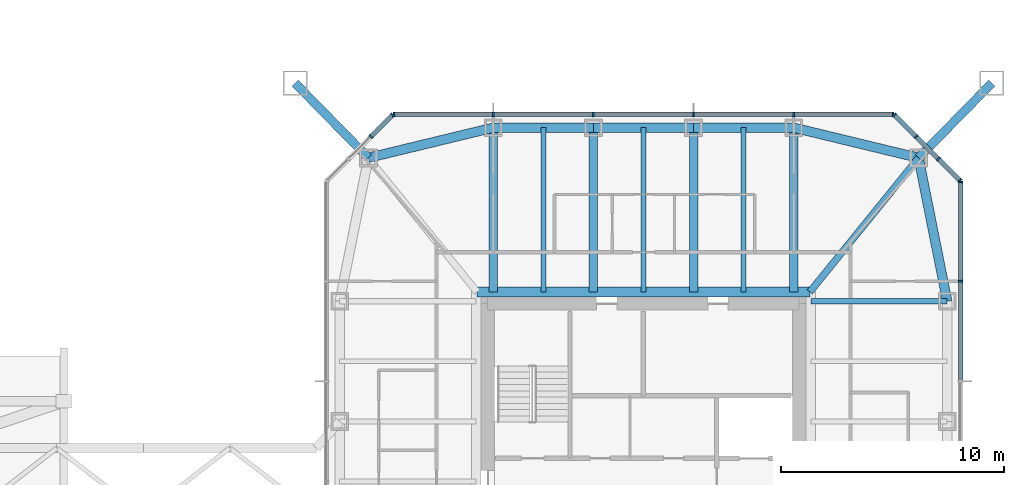
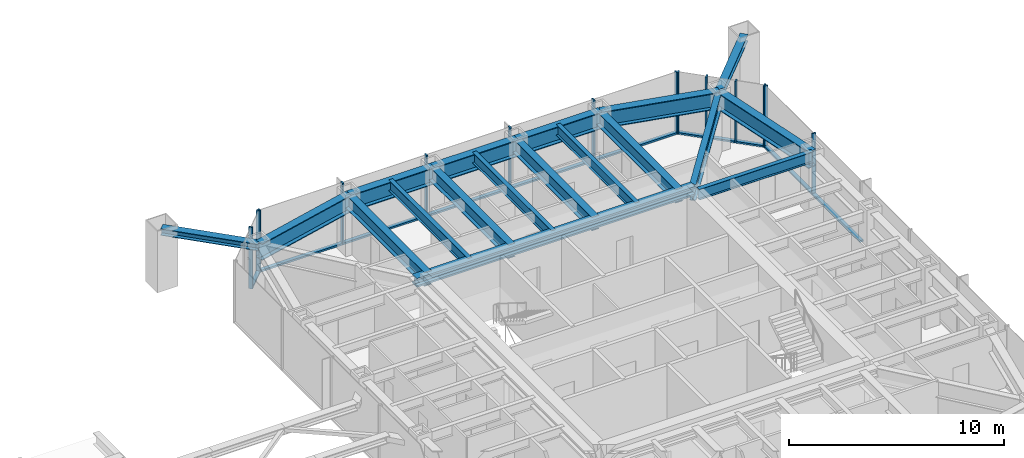
# One storey, part 10 of 26: 27 members, 16 beams, 4 elements without a shape of their own.
"""IFC4 building model written with IfcOpenShell, lengths in metres."""

from ifc_helpers import new_model, si_unit, direction, frame, origin, origin_2d, place, context, subcontext, project, spatial, rectangle, i_section, extrude, material, material_profile, profile_set, type_object, element, aggregate, save


model = new_model("IFC4")

# Units and contexts
model_context = context("Model", 3, precision=1e-05, world=origin(), true_north=direction((0.0, 1.0)))
body_context = subcontext(model_context, "Body", "Model", "MODEL_VIEW")
ifc_project = project(units=[si_unit("LENGTHUNIT", "METRE"), si_unit("AREAUNIT", "SQUARE_METRE"), si_unit("VOLUMEUNIT", "CUBIC_METRE"), si_unit("PLANEANGLEUNIT", "RADIAN"), si_unit("MASSUNIT", "GRAM", prefix="KILO")], contexts=[model_context])

# Site, building, storey
site_placement = place(None, origin())
site = spatial("IfcSite", under=ifc_project, at=site_placement, CompositionType="ELEMENT")
building_placement = place(site_placement, origin())
building = spatial("IfcBuilding", under=site, at=building_placement, Name="Iwan Alto Co-Living Towers", CompositionType="ELEMENT")
storey_placement = place(building_placement, frame((0.0, 0.0, 126.0)))
storey = spatial("IfcBuildingStorey", under=building, at=storey_placement, Name="L34", CompositionType="ELEMENT", Elevation=126.0)

# Curtain wall, members
ifc_material_1 = material(Name="Bronze aluminium unitised frame", Category="aluminium")
curtain_wall_type_1 = type_object("IfcCurtainWallType", Name="CURTAIN WALL CW-C", PredefinedType="NOTDEFINED", material=ifc_material_1)
curtain_wall_1_placement = place(storey_placement, origin())
curtain_wall_1 = element("IfcCurtainWall", 1, at=curtain_wall_1_placement, inside=storey, type_object=curtain_wall_type_1, Name="T2 curtain wall E L34", PredefinedType="NOTDEFINED")
ifc_material_2 = material(Name="Aluminium 6063-T6 bronze anodised", Category="aluminium")
ifc_material_profile_1 = material_profile(ifc_material_2, rectangle(XDim=0.199951171875, YDim=0.080078125, at=origin_2d()), Name="AL 80X200")
ifc_profile_set_1 = profile_set([ifc_material_profile_1], Name="Aluminium 6063-T6 bronze anodised")
member_type_1 = type_object("IfcMemberType", Name="CW-C MULLION 80X200", PredefinedType="MULLION", material=ifc_profile_set_1)
member_1_placement = place(storey_placement, frame((77.25, 9.0, 0.0), z_axis=(0.0, 0.0, 1.0), x_axis=(-1.0, 0.0, 0.0)))
member_1 = element("IfcMember", 2, at=member_1_placement, type_object=member_type_1, Name="CW-C mullion 6", PredefinedType="MULLION", context=body_context, shape_type="SweptSolid", body=[
    extrude(rectangle(XDim=0.199951171875, YDim=0.080078125, at=origin_2d()), origin(), (0.0, 0.0, 1.0), 3.5),
])
member_2_placement = place(storey_placement, frame((77.25, 13.4599609375, 0.0), z_axis=(0.0, 0.0, 1.0), x_axis=(-1.0, 0.0, 0.0)))
member_2 = element("IfcMember", 3, at=member_2_placement, type_object=member_type_1, Name="CW-C mullion 7", PredefinedType="MULLION", context=body_context, shape_type="SweptSolid", body=[
    extrude(rectangle(XDim=0.199951171875, YDim=0.080078125, at=origin_2d()), origin(), (0.0, 0.0, 1.0), 3.5),
])

curtain_wall_2_placement = place(storey_placement, origin())
curtain_wall_2 = element("IfcCurtainWall", 4, at=curtain_wall_2_placement, inside=storey, type_object=curtain_wall_type_1, Name="T2 curtain wall N L34", PredefinedType="NOTDEFINED")
member_3_placement = place(storey_placement, frame((74.2099609375, 16.5, 0.0), z_axis=(0.0, 0.0, 1.0), x_axis=(0.0, -1.0, 0.0)))
member_3 = element("IfcMember", 5, at=member_3_placement, type_object=member_type_1, Name="CW-C mullion 1", PredefinedType="MULLION", context=body_context, shape_type="SweptSolid", body=[
    extrude(rectangle(XDim=0.199951171875, YDim=0.080078125, at=origin_2d()), origin(), (0.0, 0.0, 1.0), 3.5),
])
member_4_placement = place(storey_placement, frame((69.75, 16.5, 0.0), z_axis=(0.0, 0.0, 1.0), x_axis=(0.0, -1.0, 0.0)))
member_4 = element("IfcMember", 6, at=member_4_placement, type_object=member_type_1, Name="CW-C mullion 2", PredefinedType="MULLION", context=body_context, shape_type="SweptSolid", body=[
    extrude(rectangle(XDim=0.199951171875, YDim=0.080078125, at=origin_2d()), origin(), (0.0, 0.0, 1.0), 3.5),
])
member_5_placement = place(storey_placement, frame((65.25, 16.5, 0.0), z_axis=(0.0, 0.0, 1.0), x_axis=(0.0, -1.0, 0.0)))
member_5 = element("IfcMember", 7, at=member_5_placement, type_object=member_type_1, Name="CW-C mullion 3", PredefinedType="MULLION", context=body_context, shape_type="SweptSolid", body=[
    extrude(rectangle(XDim=0.199951171875, YDim=0.080078125, at=origin_2d()), origin(), (0.0, 0.0, 1.0), 3.5),
])
member_6_placement = place(storey_placement, frame((60.75, 16.5, 0.0), z_axis=(0.0, 0.0, 1.0), x_axis=(0.0, -1.0, 0.0)))
member_6 = element("IfcMember", 8, at=member_6_placement, type_object=member_type_1, Name="CW-C mullion 4", PredefinedType="MULLION", context=body_context, shape_type="SweptSolid", body=[
    extrude(rectangle(XDim=0.199951171875, YDim=0.080078125, at=origin_2d()), origin(), (0.0, 0.0, 1.0), 3.5),
])
member_7_placement = place(storey_placement, frame((56.25, 16.5, 0.0), z_axis=(0.0, 0.0, 1.0), x_axis=(0.0, -1.0, 0.0)))
member_7 = element("IfcMember", 9, at=member_7_placement, type_object=member_type_1, Name="CW-C mullion 5", PredefinedType="MULLION", context=body_context, shape_type="SweptSolid", body=[
    extrude(rectangle(XDim=0.199951171875, YDim=0.080078125, at=origin_2d()), origin(), (0.0, 0.0, 1.0), 3.5),
])
member_8_placement = place(storey_placement, frame((51.7900390625, 16.5, 0.0), z_axis=(0.0, 0.0, 1.0), x_axis=(0.0, -1.0, 0.0)))
member_8 = element("IfcMember", 10, at=member_8_placement, type_object=member_type_1, Name="CW-C mullion 6", PredefinedType="MULLION", context=body_context, shape_type="SweptSolid", body=[
    extrude(rectangle(XDim=0.199951171875, YDim=0.080078125, at=origin_2d()), origin(), (0.0, 0.0, 1.0), 3.5),
])

# Member
ifc_material_3 = material(Name="Aluminium 6063-T6 bronze anodised", Category="aluminium")
ifc_material_profile_2 = material_profile(ifc_material_3, rectangle(XDim=0.199951171875, YDim=0.10009765625, at=origin_2d()), Name="AL 200X100")
ifc_profile_set_2 = profile_set([ifc_material_profile_2], Name="Aluminium 6063-T6 bronze anodised")
member_type_2 = type_object("IfcMemberType", Name="CW-C TRANSOM 200X100", PredefinedType="USERDEFINED", material=ifc_profile_set_2)
member_9_placement = place(storey_placement, frame((77.25, 4.5400390625, 0.050048828125), z_axis=(0.0, 1.0, 0.0), x_axis=(-1.0, 0.0, 0.0)))
member_9 = element("IfcMember", 11, at=member_9_placement, type_object=member_type_2, Name="CW-C transom 5.1", ObjectType="TRANSOM", PredefinedType="USERDEFINED", context=body_context, shape_type="SweptSolid", body=[
    extrude(rectangle(XDim=0.199951171875, YDim=0.10009765625, at=origin_2d()), origin(), (0.0, 0.0, 1.0), 4.419921875),
])

member_10_placement = place(storey_placement, frame((77.25, 9.0400390625, 0.050048828125), z_axis=(0.0, 1.0, 0.0), x_axis=(-1.0, 0.0, 0.0)))
member_10 = element("IfcMember", 12, at=member_10_placement, type_object=member_type_2, Name="CW-C transom 6.1", ObjectType="TRANSOM", PredefinedType="USERDEFINED", context=body_context, shape_type="SweptSolid", body=[
    extrude(rectangle(XDim=0.199951171875, YDim=0.10009765625, at=origin_2d()), origin(), (0.0, 0.0, 1.0), 4.3798828125),
])

aggregate(curtain_wall_1, [member_1, member_2, member_9, member_10])

member_11_placement = place(storey_placement, frame((74.169921875, 16.5, 0.050048828125), z_axis=(-1.0, 0.0, 0.0), x_axis=(0.0, -1.0, 0.0)))
member_11 = element("IfcMember", 13, at=member_11_placement, type_object=member_type_2, Name="CW-C transom 1.1", ObjectType="TRANSOM", PredefinedType="USERDEFINED", context=body_context, shape_type="SweptSolid", body=[
    extrude(rectangle(XDim=0.199951171875, YDim=0.10009765625, at=origin_2d()), origin(), (0.0, 0.0, 1.0), 4.3798828125),
])

member_12_placement = place(storey_placement, frame((69.7099609375, 16.5, 0.050048828125), z_axis=(-1.0, 0.0, 0.0), x_axis=(0.0, -1.0, 0.0)))
member_12 = element("IfcMember", 14, at=member_12_placement, type_object=member_type_2, Name="CW-C transom 2.1", ObjectType="TRANSOM", PredefinedType="USERDEFINED", context=body_context, shape_type="SweptSolid", body=[
    extrude(rectangle(XDim=0.199951171875, YDim=0.10009765625, at=origin_2d()), origin(), (0.0, 0.0, 1.0), 4.419921875),
])

member_13_placement = place(storey_placement, frame((65.2099609375, 16.5, 0.050048828125), z_axis=(-1.0, 0.0, 0.0), x_axis=(0.0, -1.0, 0.0)))
member_13 = element("IfcMember", 15, at=member_13_placement, type_object=member_type_2, Name="CW-C transom 3.1", ObjectType="TRANSOM", PredefinedType="USERDEFINED", context=body_context, shape_type="SweptSolid", body=[
    extrude(rectangle(XDim=0.199951171875, YDim=0.10009765625, at=origin_2d()), origin(), (0.0, 0.0, 1.0), 4.419921875),
])

member_14_placement = place(storey_placement, frame((60.7099609375, 16.5, 0.050048828125), z_axis=(-1.0, 0.0, 0.0), x_axis=(0.0, -1.0, 0.0)))
member_14 = element("IfcMember", 16, at=member_14_placement, type_object=member_type_2, Name="CW-C transom 4.1", ObjectType="TRANSOM", PredefinedType="USERDEFINED", context=body_context, shape_type="SweptSolid", body=[
    extrude(rectangle(XDim=0.199951171875, YDim=0.10009765625, at=origin_2d()), origin(), (0.0, 0.0, 1.0), 4.419921875),
])

member_15_placement = place(storey_placement, frame((56.2099609375, 16.5, 0.050048828125), z_axis=(-1.0, 0.0, 0.0), x_axis=(0.0, -1.0, 0.0)))
member_15 = element("IfcMember", 17, at=member_15_placement, type_object=member_type_2, Name="CW-C transom 5.1", ObjectType="TRANSOM", PredefinedType="USERDEFINED", context=body_context, shape_type="SweptSolid", body=[
    extrude(rectangle(XDim=0.199951171875, YDim=0.10009765625, at=origin_2d()), origin(), (0.0, 0.0, 1.0), 4.3798828125),
])

aggregate(curtain_wall_2, [member_3, member_4, member_5, member_6, member_7, member_8, member_11, member_12, member_13, member_14, member_15])

# Curtain wall, members
ifc_material_4 = material(Name="Bronze aluminium unitised frame", Category="aluminium")
curtain_wall_type_2 = type_object("IfcCurtainWallType", Name="CURTAIN WALL CW-D", PredefinedType="NOTDEFINED", material=ifc_material_4)
curtain_wall_3_placement = place(storey_placement, origin())
curtain_wall_3 = element("IfcCurtainWall", 18, at=curtain_wall_3_placement, inside=storey, type_object=curtain_wall_type_2, Name="T2 chamfer curtain wall NE L34", PredefinedType="NOTDEFINED")
ifc_material_5 = material(Name="Aluminium 6063-T6 bronze anodised", Category="aluminium")
ifc_material_profile_3 = material_profile(ifc_material_5, rectangle(XDim=0.199951171875, YDim=0.080078125, at=origin_2d()), Name="AL 80X200")
ifc_profile_set_3 = profile_set([ifc_material_profile_3], Name="Aluminium 6063-T6 bronze anodised")
member_type_3 = type_object("IfcMemberType", Name="CW-D MULLION 80X200", PredefinedType="MULLION", material=ifc_profile_set_3)
member_16_placement = place(storey_placement, frame((77.2216796875, 13.5283203125, 0.0), z_axis=(0.0, 0.0, 1.0), x_axis=(-0.707106781187, -0.707106781187, 0.0)))
member_16 = element("IfcMember", 19, at=member_16_placement, type_object=member_type_3, Name="CW-D mullion 1", PredefinedType="MULLION", context=body_context, shape_type="SweptSolid", body=[
    extrude(rectangle(XDim=0.199951171875, YDim=0.080078125, at=origin_2d()), origin(), (0.0, 0.0, 1.0), 3.5),
])
member_17_placement = place(storey_placement, frame((76.25, 14.5, 0.0), z_axis=(0.0, 0.0, 1.0), x_axis=(-0.707106781187, -0.707106781187, 0.0)))
member_17 = element("IfcMember", 20, at=member_17_placement, type_object=member_type_3, Name="CW-D mullion 2", PredefinedType="MULLION", context=body_context, shape_type="SweptSolid", body=[
    extrude(rectangle(XDim=0.199951171875, YDim=0.080078125, at=origin_2d()), origin(), (0.0, 0.0, 1.0), 3.5),
])
member_18_placement = place(storey_placement, frame((75.25, 15.5, 0.0), z_axis=(0.0, 0.0, 1.0), x_axis=(-0.707106781187, -0.707106781187, 0.0)))
member_18 = element("IfcMember", 21, at=member_18_placement, type_object=member_type_3, Name="CW-D mullion 3", PredefinedType="MULLION", context=body_context, shape_type="SweptSolid", body=[
    extrude(rectangle(XDim=0.199951171875, YDim=0.080078125, at=origin_2d()), origin(), (0.0, 0.0, 1.0), 3.5),
])
member_19_placement = place(storey_placement, frame((74.2783203125, 16.4716796875, 0.0), z_axis=(0.0, 0.0, 1.0), x_axis=(-0.707106781187, -0.707106781187, 0.0)))
member_19 = element("IfcMember", 22, at=member_19_placement, type_object=member_type_3, Name="CW-D mullion 4", PredefinedType="MULLION", context=body_context, shape_type="SweptSolid", body=[
    extrude(rectangle(XDim=0.199951171875, YDim=0.080078125, at=origin_2d()), origin(), (0.0, 0.0, 1.0), 3.5),
])

curtain_wall_4_placement = place(storey_placement, origin())
curtain_wall_4 = element("IfcCurtainWall", 23, at=curtain_wall_4_placement, inside=storey, type_object=curtain_wall_type_2, Name="T2 chamfer curtain wall NW L34", PredefinedType="NOTDEFINED")
member_20_placement = place(storey_placement, frame((51.7216796875, 16.4716796875, 0.0), z_axis=(0.0, 0.0, 1.0), x_axis=(0.707106781187, -0.707106781187, 0.0)))
member_20 = element("IfcMember", 24, at=member_20_placement, type_object=member_type_3, Name="CW-D mullion 1", PredefinedType="MULLION", context=body_context, shape_type="SweptSolid", body=[
    extrude(rectangle(XDim=0.199951171875, YDim=0.080078125, at=origin_2d()), origin(), (0.0, 0.0, 1.0), 3.5),
])
member_21_placement = place(storey_placement, frame((50.75, 15.5, 0.0), z_axis=(0.0, 0.0, 1.0), x_axis=(0.707106781187, -0.707106781187, 0.0)))
member_21 = element("IfcMember", 25, at=member_21_placement, type_object=member_type_3, Name="CW-D mullion 2", PredefinedType="MULLION", context=body_context, shape_type="SweptSolid", body=[
    extrude(rectangle(XDim=0.199951171875, YDim=0.080078125, at=origin_2d()), origin(), (0.0, 0.0, 1.0), 3.5),
])

# Member
ifc_material_6 = material(Name="Aluminium 6063-T6 bronze anodised", Category="aluminium")
ifc_material_profile_4 = material_profile(ifc_material_6, rectangle(XDim=0.199951171875, YDim=0.10009765625, at=origin_2d()), Name="AL 200X100")
ifc_profile_set_4 = profile_set([ifc_material_profile_4], Name="Aluminium 6063-T6 bronze anodised")
member_type_4 = type_object("IfcMemberType", Name="CW-D TRANSOM 200X100", PredefinedType="USERDEFINED", material=ifc_profile_set_4)
member_22_placement = place(storey_placement, frame((77.193359375, 13.556640625, 0.050048828125), z_axis=(-0.707106781187, 0.707106781187, 0.0), x_axis=(-0.707106781187, -0.707106781187, 0.0)))
member_22 = element("IfcMember", 26, at=member_22_placement, type_object=member_type_4, Name="CW-D transom 1.1", ObjectType="TRANSOM", PredefinedType="USERDEFINED", context=body_context, shape_type="SweptSolid", body=[
    extrude(rectangle(XDim=0.199951171875, YDim=0.10009765625, at=origin_2d()), origin(), (0.0, 0.0, 1.0), 1.2939453125),
])

member_23_placement = place(storey_placement, frame((76.2216796875, 14.5283203125, 0.050048828125), z_axis=(-0.707106781187, 0.707106781187, 0.0), x_axis=(-0.707106781187, -0.707106781187, 0.0)))
member_23 = element("IfcMember", 27, at=member_23_placement, type_object=member_type_4, Name="CW-D transom 2.1", ObjectType="TRANSOM", PredefinedType="USERDEFINED", context=body_context, shape_type="SweptSolid", body=[
    extrude(rectangle(XDim=0.199951171875, YDim=0.10009765625, at=origin_2d()), origin(), (0.0, 0.0, 1.0), 1.334228515625),
])

member_24_placement = place(storey_placement, frame((75.2216796875, 15.5283203125, 0.050048828125), z_axis=(-0.707106781187, 0.707106781187, 0.0), x_axis=(-0.707106781187, -0.707106781187, 0.0)))
member_24 = element("IfcMember", 28, at=member_24_placement, type_object=member_type_4, Name="CW-D transom 3.1", ObjectType="TRANSOM", PredefinedType="USERDEFINED", context=body_context, shape_type="SweptSolid", body=[
    extrude(rectangle(XDim=0.199951171875, YDim=0.10009765625, at=origin_2d()), origin(), (0.0, 0.0, 1.0), 1.2939453125),
])

aggregate(curtain_wall_3, [member_16, member_17, member_18, member_19, member_22, member_23, member_24])

member_25_placement = place(storey_placement, frame((51.693359375, 16.443359375, 0.050048828125), z_axis=(-0.707106781187, -0.707106781187, 0.0), x_axis=(0.707106781187, -0.707106781187, 0.0)))
member_25 = element("IfcMember", 29, at=member_25_placement, type_object=member_type_4, Name="CW-D transom 1.1", ObjectType="TRANSOM", PredefinedType="USERDEFINED", context=body_context, shape_type="SweptSolid", body=[
    extrude(rectangle(XDim=0.199951171875, YDim=0.10009765625, at=origin_2d()), origin(), (0.0, 0.0, 1.0), 1.2939453125),
])

aggregate(curtain_wall_4, [member_20, member_21, member_25])

# Beams
ifc_material_7 = material(Name="Steel ASTM A992 Gr 50", Category="steel")
ifc_material_profile_5 = material_profile(ifc_material_7, i_section(OverallWidth=0.436767578125, OverallDepth=0.51318359375, WebThickness=0.060546875, FlangeThickness=0.096923828125, at=origin_2d()), Name="W14X550")
ifc_profile_set_5 = profile_set([ifc_material_profile_5], Name="Steel ASTM A992 Gr 50")
beam_type_1 = type_object("IfcBeamType", Name="T2 CORE LEDGER BEAM W14X550", PredefinedType="BEAM", material=ifc_profile_set_5)
beam_1_placement = place(storey_placement, frame((70.47705078125, 8.5185546875, 2.993408203125), z_axis=(-1.0, 0.0, 0.0), x_axis=(0.0, -1.0, 0.0)))
element("IfcBeam", 30, at=beam_1_placement, inside=storey, type_object=beam_type_1, Name="T2 core ledger beam N L35", PredefinedType="BEAM", context=body_context, shape_type="SweptSolid", body=[
    extrude(i_section(OverallWidth=0.436767578125, OverallDepth=0.51318359375, WebThickness=0.060546875, FlangeThickness=0.096923828125, at=origin_2d()), origin(), (0.0, 0.0, 1.0), 14.9541015625),
])
ifc_material_8 = material(Name="Steel ASTM A992 Gr 50", Category="steel")
ifc_material_profile_6 = material_profile(ifc_material_8, i_section(OverallWidth=0.307373046875, OverallDepth=0.927001953125, WebThickness=0.01953125, FlangeThickness=0.031982421875, at=origin_2d()), Name="W36X194")
ifc_profile_set_6 = profile_set([ifc_material_profile_6], Name="Steel ASTM A992 Gr 50")
beam_type_2 = type_object("IfcBeamType", Name="T2 CORNER GIRDER W36X194", PredefinedType="BEAM", material=ifc_profile_set_6)
beam_2_placement = place(storey_placement, frame((75.361328125, 14.542724609375, 2.786376953125), z_axis=(-0.629787584927, -0.776767402683, 0.0), x_axis=(0.776767402683, -0.629787584927, 0.0)))
element("IfcBeam", 31, at=beam_2_placement, inside=storey, type_object=beam_type_2, Name="T2 corner girder CNE L35", PredefinedType="BEAM", context=body_context, shape_type="SweptSolid", body=[
    extrude(i_section(OverallWidth=0.307373046875, OverallDepth=0.927001953125, WebThickness=0.01953125, FlangeThickness=0.031982421875, at=origin_2d()), origin(), (0.0, 0.0, 1.0), 7.75537109375),
])
ifc_material_9 = material(Name="Steel ASTM A992 Gr 50", Category="steel")
ifc_material_profile_7 = material_profile(ifc_material_9, i_section(OverallWidth=0.424072265625, OverallDepth=0.947509765625, WebThickness=0.02392578125, FlangeThickness=0.042724609375, at=origin_2d()), Name="W36X302")
ifc_profile_set_7 = profile_set([ifc_material_profile_7], Name="Steel ASTM A992 Gr 50")
beam_type_3 = type_object("IfcBeamType", Name="T2 EDGE BEAM W36X302", PredefinedType="BEAM", material=ifc_profile_set_7)
beam_3_placement = place(storey_placement, frame((76.64990234375, 8.10009765625, 2.7763671875), z_axis=(-0.196123281025, 0.980579246487, 0.0), x_axis=(-0.980579246487, -0.196123281025, 0.0)))
element("IfcBeam", 32, at=beam_3_placement, inside=storey, type_object=beam_type_3, Name="T2 edge beam E4 L35", PredefinedType="BEAM", context=body_context, shape_type="SweptSolid", body=[
    extrude(i_section(OverallWidth=0.424072265625, OverallDepth=0.947509765625, WebThickness=0.02392578125, FlangeThickness=0.042724609375, at=origin_2d()), origin(), (0.0, 0.0, 1.0), 6.5703125),
])
beam_4_placement = place(storey_placement, frame((75.361328125, 14.542724609375, 2.7763671875), z_axis=(-0.971974673138, 0.235085590323, 0.0), x_axis=(-0.235085590323, -0.971974673138, 0.0)))
element("IfcBeam", 33, at=beam_4_placement, inside=storey, type_object=beam_type_3, Name="T2 edge beam CNE L35", PredefinedType="BEAM", context=body_context, shape_type="SweptSolid", body=[
    extrude(i_section(OverallWidth=0.424072265625, OverallDepth=0.947509765625, WebThickness=0.02392578125, FlangeThickness=0.042724609375, at=origin_2d()), origin(), (0.0, 0.0, 1.0), 5.773193359375),
])
for number, where, z_axis, x_axis, name in (
    (34, (69.75, 15.89990234375, 2.7763671875), (-1.0, 0.0, 0.0), (0.0, -1.0, 0.0), "T2 edge beam N1 L35"),
    (35, (65.25, 15.89990234375, 2.7763671875), (-1.0, 0.0, 0.0), (0.0, -1.0, 0.0), "T2 edge beam N2 L35"),
    (36, (60.75, 15.89990234375, 2.7763671875), (-1.0, 0.0, 0.0), (0.0, -1.0, 0.0), "T2 edge beam N3 L35"),
):
    element("IfcBeam", number, at=place(storey_placement, frame(where, z_axis=z_axis, x_axis=x_axis)), inside=storey, type_object=beam_type_3, Name=name, PredefinedType="BEAM", context=body_context, shape_type="SweptSolid", body=[
        extrude(i_section(OverallWidth=0.424072265625, OverallDepth=0.947509765625, WebThickness=0.02392578125, FlangeThickness=0.042724609375, at=origin_2d()), origin(), (0.0, 0.0, 1.0), 4.5),
    ])
beam_5_placement = place(storey_placement, frame((56.25, 15.89990234375, 2.7763671875), z_axis=(-0.971974673138, -0.235085590323, 0.0), x_axis=(0.235085590323, -0.971974673138, 0.0)))
element("IfcBeam", 37, at=beam_5_placement, inside=storey, type_object=beam_type_3, Name="T2 edge beam N4 L35", PredefinedType="BEAM", context=body_context, shape_type="SweptSolid", body=[
    extrude(i_section(OverallWidth=0.424072265625, OverallDepth=0.947509765625, WebThickness=0.02392578125, FlangeThickness=0.042724609375, at=origin_2d()), origin(), (0.0, 0.0, 1.0), 5.773193359375),
])

# Members
ifc_material_10 = material(Name="Steel ASTM A992 Gr 50", Category="steel")
ifc_material_profile_8 = material_profile(ifc_material_10, i_section(OverallWidth=0.393798828125, OverallDepth=0.3759765625, WebThickness=0.017333984375, FlangeThickness=0.027587890625, at=origin_2d()), Name="W14X145")
ifc_profile_set_8 = profile_set([ifc_material_profile_8], Name="Steel ASTM A992 Gr 50")
member_type_5 = type_object("IfcMemberType", Name="T2 MEGA COLUMN FLOOR TIE W14X145", PredefinedType="STRUT", material=ifc_profile_set_8)
for number, where, z_axis, x_axis, name in (
    (38, (78.64990234375, 17.89990234375, 3.06201171875), (-0.699770096147, -0.714368121166, 0.0), (0.714368121166, -0.699770096147, 0.0), "T2 mega column floor tie NE L35"),
    (39, (47.35009765625, 17.89990234375, 3.06201171875), (0.699770096147, -0.714368121166, 0.0), (0.714368121166, 0.699770096147, 0.0), "T2 mega column floor tie NW L35"),
):
    element("IfcMember", number, at=place(storey_placement, frame(where, z_axis=z_axis, x_axis=x_axis)), inside=storey, type_object=member_type_5, Name=name, PredefinedType="STRUT", context=body_context, shape_type="SweptSolid", body=[
        extrude(i_section(OverallWidth=0.393798828125, OverallDepth=0.3759765625, WebThickness=0.017333984375, FlangeThickness=0.027587890625, at=origin_2d()), origin(), (0.0, 0.0, 1.0), 4.699462890625),
    ])

# Beams
ifc_material_11 = material(Name="Steel ASTM A992 Gr 50", Category="steel")
ifc_material_profile_9 = material_profile(ifc_material_11, i_section(OverallWidth=0.228271484375, OverallDepth=0.607177734375, WebThickness=0.01123046875, FlangeThickness=0.017333984375, at=origin_2d()), Name="W24X76")
ifc_profile_set_9 = profile_set([ifc_material_profile_9], Name="Steel ASTM A992 Gr 50")
beam_type_4 = type_object("IfcBeamType", Name="T2 RADIAL BEAM W24X76", PredefinedType="BEAM", material=ifc_profile_set_9)
beam_6_placement = place(storey_placement, frame((76.64990234375, 8.10009765625, 2.946533203125), z_axis=(-1.0, 0.0, 0.0), x_axis=(0.0, -1.0, 0.0)))
element("IfcBeam", 40, at=beam_6_placement, inside=storey, type_object=beam_type_4, Name="T2 radial beam E4 L35", PredefinedType="BEAM", context=body_context, shape_type="SweptSolid", body=[
    extrude(i_section(OverallWidth=0.228271484375, OverallDepth=0.607177734375, WebThickness=0.01123046875, FlangeThickness=0.017333984375, at=origin_2d()), origin(), (0.0, 0.0, 1.0), 6.13134765625),
])
ifc_material_12 = material(Name="Steel ASTM A992 Gr 50", Category="steel")
ifc_material_profile_10 = material_profile(ifc_material_12, i_section(OverallWidth=0.381103515625, OverallDepth=0.772216796875, WebThickness=0.0166015625, FlangeThickness=0.027099609375, at=origin_2d()), Name="W30X173")
ifc_profile_set_10 = profile_set([ifc_material_profile_10], Name="Steel ASTM A992 Gr 50")
beam_type_5 = type_object("IfcBeamType", Name="T2 RADIAL BEAM W30X173", PredefinedType="BEAM", material=ifc_profile_set_10)
for number, where, z_axis, x_axis, name in (
    (41, (69.75, 15.89990234375, 2.864013671875), (0.0, -1.0, 0.0), (1.0, 0.0, 0.0), "T2 radial beam N1 L35"),
    (42, (65.25, 15.89990234375, 2.864013671875), (0.0, -1.0, 0.0), (1.0, 0.0, 0.0), "T2 radial beam N2 L35"),
    (43, (60.75, 15.89990234375, 2.864013671875), (0.0, -1.0, 0.0), (1.0, 0.0, 0.0), "T2 radial beam N3 L35"),
    (44, (56.25, 15.89990234375, 2.864013671875), (0.0, -1.0, 0.0), (1.0, 0.0, 0.0), "T2 radial beam N4 L35"),
):
    element("IfcBeam", number, at=place(storey_placement, frame(where, z_axis=z_axis, x_axis=x_axis)), inside=storey, type_object=beam_type_5, Name=name, PredefinedType="BEAM", context=body_context, shape_type="SweptSolid", body=[
        extrude(i_section(OverallWidth=0.381103515625, OverallDepth=0.772216796875, WebThickness=0.0166015625, FlangeThickness=0.027099609375, at=origin_2d()), origin(), (0.0, 0.0, 1.0), 7.38134765625),
    ])
ifc_material_13 = material(Name="Steel ASTM A992 Gr 50", Category="steel")
ifc_material_profile_11 = material_profile(ifc_material_13, i_section(OverallWidth=0.228271484375, OverallDepth=0.607177734375, WebThickness=0.01123046875, FlangeThickness=0.017333984375, at=origin_2d()), Name="W24X76")
ifc_profile_set_11 = profile_set([ifc_material_profile_11], Name="Steel ASTM A992 Gr 50")
beam_type_6 = type_object("IfcBeamType", Name="T2 SECONDARY BEAM W24X76", PredefinedType="JOIST", material=ifc_profile_set_11)
for number, where, z_axis, x_axis, name in (
    (45, (67.5, 15.89990234375, 2.946533203125), (0.0, -1.0, 0.0), (1.0, 0.0, 0.0), "T2 secondary beam N1 L35"),
    (46, (63.0, 15.89990234375, 2.946533203125), (0.0, -1.0, 0.0), (1.0, 0.0, 0.0), "T2 secondary beam N2 L35"),
    (47, (58.5, 15.89990234375, 2.946533203125), (0.0, -1.0, 0.0), (1.0, 0.0, 0.0), "T2 secondary beam N3 L35"),
):
    element("IfcBeam", number, at=place(storey_placement, frame(where, z_axis=z_axis, x_axis=x_axis)), inside=storey, type_object=beam_type_6, Name=name, PredefinedType="JOIST", context=body_context, shape_type="SweptSolid", body=[
        extrude(i_section(OverallWidth=0.228271484375, OverallDepth=0.607177734375, WebThickness=0.01123046875, FlangeThickness=0.017333984375, at=origin_2d()), origin(), (0.0, 0.0, 1.0), 7.38134765625),
    ])

save(model, "model.ifc")
